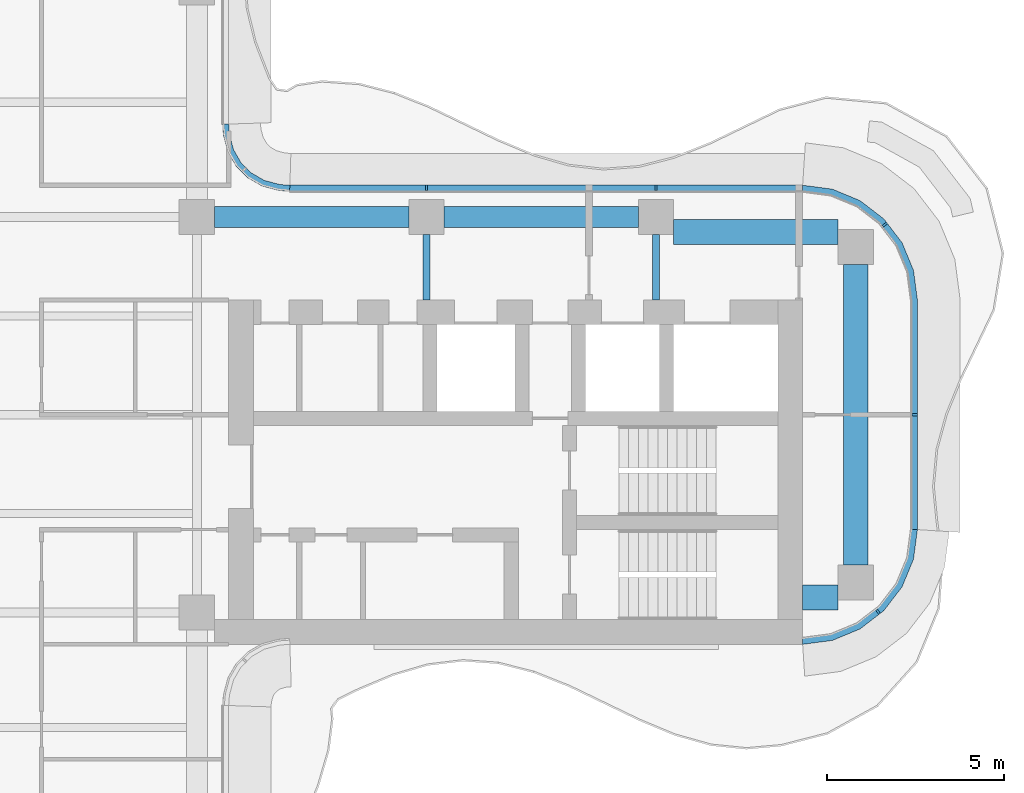
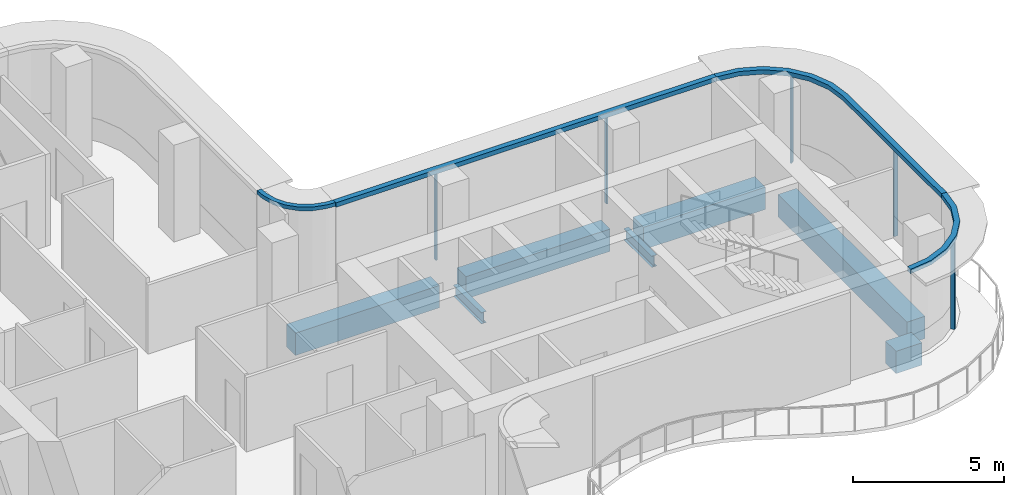
# One storey, part 6 of 16: 9 members, 7 beams, 4 elements without a shape of their own.
"""IFC4 building model written with IfcOpenShell, lengths in metres."""

import ifcopenshell
import ifcopenshell.guid

model = None  # the IFC model being written
_history = None  # IfcOwnerHistory: only IFC2X3 demands one
_inside = {}  # id of a spatial element -> (the spatial element, [elements in it])
_under = {}  # id of a project, library or spatial element -> (it, [spatial elements below it])
_declared = {}  # id of a project -> (the project, [libraries it declares])
_typed = {}  # id of a type object -> (the type object, [elements of that type])
_made_of = {}  # id of a material, layer set ... -> (it, [elements and type objects made of it])


def new_model(schema):
    """Start an empty IFC model of exactly this schema.

    Asked for "IFC4X3", IfcOpenShell would pick the latest addendum, in which some entities
    have other attributes; the version numbers below select the first issue.
    IFC2X3 requires an IfcOwnerHistory on every rooted entity: one is made here for all.
    """
    global model, _history
    if schema == "IFC4X3":
        model = ifcopenshell.file(schema_version=(4, 3, 0, 0))
    else:
        model = ifcopenshell.file(schema=schema)
    _inside.clear()
    _under.clear()
    _declared.clear()
    _typed.clear()
    _made_of.clear()
    _history = None
    if model.schema == "IFC2X3":
        org = make("IfcOrganization", Name="unknown")
        user = make(
            "IfcPersonAndOrganization",
            ThePerson=make("IfcPerson", FamilyName="unknown"),
            TheOrganization=org,
        )
        app = make(
            "IfcApplication",
            ApplicationDeveloper=org,
            Version="unknown",
            ApplicationFullName="unknown",
            ApplicationIdentifier="unknown",
        )
        _history = make(
            "IfcOwnerHistory",
            OwningUser=user,
            OwningApplication=app,
            ChangeAction="ADDED",
            CreationDate=0,
        )
    return model


def make(cls, **values):
    """One entity of the class cls with the attributes given. An attribute that is None is left unset."""
    return model.create_entity(
        cls, **{name: value for name, value in values.items() if value is not None}
    )


def rooted(cls, **values):
    """An entity with a GlobalId (a new one), such as an element, a storey or a relation."""
    return make(cls, GlobalId=ifcopenshell.guid.new(), OwnerHistory=_history, **values)


def si_unit(unit_type, name, prefix=None):
    """IfcSIUnit, for example si_unit("LENGTHUNIT", "METRE", prefix="MILLI")."""
    return make("IfcSIUnit", UnitType=unit_type, Prefix=prefix, Name=name)


def assignment(units):
    """IfcUnitAssignment: the units of a project."""
    return None if units is None else make("IfcUnitAssignment", Units=units)


def point(xyz):
    """IfcCartesianPoint."""
    return None if xyz is None else make("IfcCartesianPoint", Coordinates=xyz)


def direction(xyz):
    """IfcDirection."""
    return None if xyz is None else make("IfcDirection", DirectionRatios=xyz)


def frame(location, z_axis=None, x_axis=None):
    """IfcAxis2Placement3D, a coordinate frame: its origin and axes. An axis left out is left unset."""
    return make(
        "IfcAxis2Placement3D",
        Location=point(location),
        Axis=direction(z_axis),
        RefDirection=direction(x_axis),
    )


def frame_2d(location, x_axis=None):
    """IfcAxis2Placement2D, a coordinate frame in the plane: its origin and x axis."""
    return make(
        "IfcAxis2Placement2D", Location=point(location), RefDirection=direction(x_axis)
    )


def origin():
    """The frame at (0, 0, 0) with its axes left unset."""
    return frame((0.0, 0.0, 0.0))


def origin_2d():
    """The frame at (0, 0) in the plane with its x axis left unset."""
    return frame_2d((0.0, 0.0))


def place(relative_to, where):
    """IfcLocalPlacement: puts the frame where relative to a parent placement (None: the world)."""
    return make(
        "IfcLocalPlacement", PlacementRelTo=relative_to, RelativePlacement=where
    )


def context(
    kind, dimensions, precision=None, world=None, true_north=None, identifier=None
):
    """IfcGeometricRepresentationContext, for example the 3D "Model" context."""
    return make(
        "IfcGeometricRepresentationContext",
        ContextIdentifier=identifier,
        ContextType=kind,
        CoordinateSpaceDimension=dimensions,
        Precision=precision,
        WorldCoordinateSystem=world,
        TrueNorth=true_north,
    )


def subcontext(parent, identifier, kind, view, scale=None):
    """IfcGeometricRepresentationSubContext, for example "Body" below "Model"."""
    return make(
        "IfcGeometricRepresentationSubContext",
        ContextIdentifier=identifier,
        ContextType=kind,
        ParentContext=parent,
        TargetScale=scale,
        TargetView=view,
    )


def project(units=None, contexts=None):
    """IfcProject with its units and contexts."""
    return rooted(
        "IfcProject",
        Name="project",
        RepresentationContexts=contexts,
        UnitsInContext=assignment(units),
    )


def spatial(cls, under=None, at=None, **own):
    """A site, building, storey or space (cls), placed at a placement, below another one or the project."""
    s = rooted(cls, ObjectPlacement=at, **own)
    if under is not None:
        _under.setdefault(under.id(), (under, []))[1].append(s)
    return s


def polyline(points):
    """IfcPolyline through the points."""
    return make("IfcPolyline", Points=[point(p) for p in points])


def profile(cls, at=None, kind="AREA", **sizes):
    """A parametric profile (cls). Its sizes go by their IFC names, for example OverallWidth=200.0."""
    return make(cls, ProfileType=kind, Position=at, **sizes)


def rectangle(**sizes):
    """IfcRectangleProfileDef."""
    return profile("IfcRectangleProfileDef", **sizes)


def i_section(**sizes):
    """IfcIShapeProfileDef."""
    return profile("IfcIShapeProfileDef", **sizes)


def outline(outer, holes=None, kind="AREA"):
    """IfcArbitraryClosedProfileDef: a profile drawn as a closed curve; with holes, ...WithVoids."""
    if holes is None:
        return make("IfcArbitraryClosedProfileDef", ProfileType=kind, OuterCurve=outer)
    return make(
        "IfcArbitraryProfileDefWithVoids",
        ProfileType=kind,
        OuterCurve=outer,
        InnerCurves=holes,
    )


def extrude(swept, where, along, depth):
    """IfcExtrudedAreaSolid: the profile swept, set in the frame where, extruded along a direction by depth."""
    return make(
        "IfcExtrudedAreaSolid",
        SweptArea=swept,
        Position=where,
        ExtrudedDirection=direction(along),
        Depth=depth,
    )


def shape(context_of_items, identifier, shape_type, items):
    """IfcShapeRepresentation: the items that make up one representation, for example the "Body"."""
    return make(
        "IfcShapeRepresentation",
        ContextOfItems=context_of_items,
        RepresentationIdentifier=identifier,
        RepresentationType=shape_type,
        Items=items,
    )


def source(mapping_origin, context_of_items, identifier, shape_type, items):
    """IfcRepresentationMap: a shape defined once, which mapped items show again and again."""
    return make(
        "IfcRepresentationMap",
        MappingOrigin=mapping_origin,
        MappedRepresentation=shape(context_of_items, identifier, shape_type, items),
    )


def transform(
    local_origin,
    x_axis=None,
    y_axis=None,
    z_axis=None,
    scale=None,
    scale2=None,
    scale3=None,
    uniform=True,
):
    """IfcCartesianTransformationOperator3D, or its non-uniform kind. x_axis, y_axis, z_axis: its Axis1, 2, 3."""
    if uniform:
        return make(
            "IfcCartesianTransformationOperator3D",
            Axis1=direction(x_axis),
            Axis2=direction(y_axis),
            LocalOrigin=point(local_origin),
            Scale=scale,
            Axis3=direction(z_axis),
        )
    return make(
        "IfcCartesianTransformationOperator3DnonUniform",
        Axis1=direction(x_axis),
        Axis2=direction(y_axis),
        LocalOrigin=point(local_origin),
        Scale=scale,
        Axis3=direction(z_axis),
        Scale2=scale2,
        Scale3=scale3,
    )


def mapped(mapping_source, mapping_target):
    """IfcMappedItem: shows the shape of a source again, moved by a transform."""
    return make(
        "IfcMappedItem", MappingSource=mapping_source, MappingTarget=mapping_target
    )


def material(Name=None, Category=None):
    """IfcMaterial."""
    return make("IfcMaterial", Name=Name, Category=Category)


def layer(
    of_material, thickness, ventilated=None, Name=None, Category=None, Priority=None
):
    """IfcMaterialLayer: one layer of a wall or slab, of a material (None: an air gap)."""
    return make(
        "IfcMaterialLayer",
        Material=of_material,
        LayerThickness=thickness,
        IsVentilated=ventilated,
        Name=Name,
        Category=Category,
        Priority=Priority,
    )


def layer_set(layers, Name=None):
    """IfcMaterialLayerSet."""
    return make("IfcMaterialLayerSet", MaterialLayers=layers, LayerSetName=Name)


def material_profile(
    of_material, cross_section, Name=None, Category=None, Priority=None
):
    """IfcMaterialProfile: a cross section and its material."""
    return make(
        "IfcMaterialProfile",
        Name=Name,
        Material=of_material,
        Profile=cross_section,
        Priority=Priority,
        Category=Category,
    )


def profile_set(profiles, Name=None, composite=None):
    """IfcMaterialProfileSet."""
    return make(
        "IfcMaterialProfileSet",
        Name=Name,
        MaterialProfiles=profiles,
        CompositeProfile=composite,
    )


def made_of(thing, what):
    """Note that an element or type object is made of a material, layer set ...; save() writes the relation."""
    if what is not None:
        _made_of.setdefault(what.id(), (what, []))[1].append(thing)
    return thing


def type_object(cls, material=None, **own):
    """A type object (cls), such as IfcWallType, which elements share."""
    return made_of(rooted(cls, **own), material)


def element(
    cls,
    number,
    at=None,
    inside=None,
    cuts=None,
    type_object=None,
    material=None,
    context=None,
    identifier="Body",
    shape_type=None,
    held_by="IfcProductDefinitionShape",
    body=None,
    shapes=None,
    **own,
):
    """One element of the class cls, such as IfcWall. Its Tag is "e" and its number.

    at: its placement. inside: the storey or other place that contains it. cuts: it is an
    opening in that element (IfcRelVoidsElement). A single representation is given by context,
    identifier, shape_type and body (its items); several are given by shapes. held_by: the class
    of the entity that holds the representations. save() writes the other relations.
    """
    e = rooted(cls, Tag="e%d" % number, ObjectPlacement=at, **own)
    if body is not None:
        shapes = [shape(context, identifier, shape_type, body)]
    if shapes is not None:
        e.Representation = make(held_by, Representations=shapes)
    if inside is not None:
        _inside.setdefault(inside.id(), (inside, []))[1].append(e)
    if cuts is not None:
        rooted(
            "IfcRelVoidsElement", RelatingBuildingElement=cuts, RelatedOpeningElement=e
        )
    if type_object is not None:
        _typed.setdefault(type_object.id(), (type_object, []))[1].append(e)
    return made_of(e, material)


def aggregate(whole, parts):
    """IfcRelAggregates: a whole, such as a stair, and the parts it consists of."""
    return rooted("IfcRelAggregates", RelatingObject=whole, RelatedObjects=parts)


def save(model, path):
    """Write the relations noted so far, then the file.

    IfcRelAggregates (storeys below a building ...), IfcRelContainedInSpatialStructure (elements
    in a storey), IfcRelDefinesByType, IfcRelAssociatesMaterial and IfcRelDeclares: one each for
    every whole, place, type object, material and project.
    """
    for whole, parts in _under.values():
        aggregate(whole, parts)
    for where, things in _inside.values():
        rooted(
            "IfcRelContainedInSpatialStructure",
            RelatedElements=things,
            RelatingStructure=where,
        )
    for kind, things in _typed.values():
        rooted("IfcRelDefinesByType", RelatedObjects=things, RelatingType=kind)
    for what, things in _made_of.values():
        rooted("IfcRelAssociatesMaterial", RelatedObjects=things, RelatingMaterial=what)
    for by, libraries in _declared.values():
        rooted("IfcRelDeclares", RelatingContext=by, RelatedDefinitions=libraries)
    model.write(path)


model = new_model("IFC4")

# Units and contexts
model_context = context("Model", 3, precision=1e-05, world=origin(), true_north=direction((0.0, 1.0)))
body_context = subcontext(model_context, "Body", "Model", "MODEL_VIEW")
ifc_project = project(units=[si_unit("LENGTHUNIT", "METRE"), si_unit("AREAUNIT", "SQUARE_METRE"), si_unit("VOLUMEUNIT", "CUBIC_METRE"), si_unit("PLANEANGLEUNIT", "RADIAN"), si_unit("MASSUNIT", "GRAM", prefix="KILO")], contexts=[model_context])

# Site, building, storey
site_placement = place(None, origin())
site = spatial("IfcSite", under=ifc_project, at=site_placement, CompositionType="ELEMENT")
building_placement = place(site_placement, origin())
building = spatial("IfcBuilding", under=site, at=building_placement, Name="Trellis Farm Tower", CompositionType="ELEMENT")
storey_placement = place(building_placement, frame((0.0, 0.0, 306.699951171875)))
storey = spatial("IfcBuildingStorey", under=building, at=storey_placement, Name="L69", CompositionType="ELEMENT", Elevation=306.699951171875)

# Beams
ifc_material_1 = material(Name="Steel S355", Category="steel")
ifc_material_profile_1 = material_profile(ifc_material_1, i_section(OverallWidth=0.1904296875, OverallDepth=0.45703125, WebThickness=0.009033203125, FlangeThickness=0.014404296875, FilletRadius=0.01025390625, at=origin_2d()), Name="UB 457x191x74")
ifc_profile_set_1 = profile_set([ifc_material_profile_1], Name="Steel S355")
beam_type_1 = type_object("IfcBeamType", Name="UB 457x191x74", PredefinedType="BEAM", material=ifc_profile_set_1)
shared_shape_1 = source(origin(), body_context, "Body", "SweptSolid", [
    extrude(i_section(OverallWidth=0.1904296875, OverallDepth=0.45703125, WebThickness=0.009033203125, FlangeThickness=0.014404296875, FilletRadius=0.01025390625, at=origin_2d()), origin(), (0.0, 0.0, 1.0), 1.85009765625),
])
for number, where, z_axis, x_axis, name in (
    (1, (12.10009765625, 3.25, -0.428466796875), (0.0, 1.0, 0.0), (-1.0, 0.0, 0.0), "Girder"),
    (2, (18.60009765625, 3.25, -0.428466796875), (0.0, 1.0, 0.0), (-1.0, 0.0, 0.0), "Girder"),
):
    element("IfcBeam", number, at=place(storey_placement, frame(where, z_axis=z_axis, x_axis=x_axis)), inside=storey, type_object=beam_type_1, Name=name, PredefinedType="BEAM", context=body_context, shape_type="MappedRepresentation", body=[
        mapped(shared_shape_1, transform((0.0, 0.0, 0.0))),
    ])
ifc_material_2 = material(Name="Concrete C60/75", Category="concrete")
ifc_material_profile_2 = material_profile(ifc_material_2, rectangle(XDim=0.60009765625, YDim=0.89990234375, at=origin_2d()), Name="RC spandrel beam 600x900 C60/75")
ifc_profile_set_2 = profile_set([ifc_material_profile_2], Name="Concrete C60/75")
beam_type_2 = type_object("IfcBeamType", Name="RC spandrel beam 600x900 C60/75", PredefinedType="SPANDREL", material=ifc_profile_set_2)
shared_shape_2 = source(origin(), body_context, "Body", "SweptSolid", [
    extrude(rectangle(XDim=0.60009765625, YDim=0.89990234375, at=origin_2d()), origin(), (0.0, 0.0, 1.0), 5.5),
])
for number, where, z_axis, x_axis, name in (
    (3, (6.10009765625, 5.60009765625, -0.64990234375), (1.0, 0.0, 0.0), (0.0, 1.0, 0.0), "Girder"),
    (4, (12.60009765625, 5.60009765625, -0.64990234375), (1.0, 0.0, 0.0), (0.0, 1.0, 0.0), "Girder"),
):
    element("IfcBeam", number, at=place(storey_placement, frame(where, z_axis=z_axis, x_axis=x_axis)), inside=storey, type_object=beam_type_2, Name=name, PredefinedType="SPANDREL", context=body_context, shape_type="MappedRepresentation", body=[
        mapped(shared_shape_2, transform((0.0, 0.0, 0.0))),
    ])
ifc_material_profile_3 = material_profile(ifc_material_2, rectangle(XDim=0.699951171875, YDim=0.89990234375, at=origin_2d()), Name="RC spandrel beam 700x900 C60/75")
ifc_profile_set_3 = profile_set([ifc_material_profile_3], Name="Concrete C60/75")
beam_type_3 = type_object("IfcBeamType", Name="RC spandrel beam 700x900 C60/75", PredefinedType="SPANDREL", material=ifc_profile_set_3)
shared_shape_3 = source(origin(), body_context, "Body", "SweptSolid", [
    extrude(rectangle(XDim=0.699951171875, YDim=0.89990234375, at=origin_2d()), origin(), (0.0, 0.0, 1.0), 1.0),
])
beam_1_placement = place(storey_placement, frame((22.75, -5.175048828125, -0.64990234375), z_axis=(1.0, 0.0, 0.0), x_axis=(0.0, 1.0, 0.0)))
element("IfcBeam", 5, at=beam_1_placement, inside=storey, type_object=beam_type_3, Name="Girder", PredefinedType="SPANDREL", context=body_context, shape_type="MappedRepresentation", body=[
    mapped(shared_shape_3, transform((0.0, 0.0, 0.0))),
])
shared_shape_4 = source(origin(), body_context, "Body", "SweptSolid", [
    extrude(rectangle(XDim=0.699951171875, YDim=0.89990234375, at=origin_2d()), origin(), (0.0, 0.0, 1.0), 4.64990234375),
])
beam_2_placement = place(storey_placement, frame((19.10009765625, 5.175048828125, -0.64990234375), z_axis=(1.0, 0.0, 0.0), x_axis=(0.0, 1.0, 0.0)))
element("IfcBeam", 6, at=beam_2_placement, inside=storey, type_object=beam_type_3, Name="Girder", PredefinedType="SPANDREL", context=body_context, shape_type="MappedRepresentation", body=[
    mapped(shared_shape_4, transform((0.0, 0.0, 0.0))),
])
shared_shape_5 = source(origin(), body_context, "Body", "SweptSolid", [
    extrude(rectangle(XDim=0.699951171875, YDim=0.89990234375, at=origin_2d()), origin(), (0.0, 0.0, 1.0), 8.5),
])
beam_3_placement = place(storey_placement, frame((24.25, -4.25, -0.64990234375), z_axis=(0.0, 1.0, 0.0), x_axis=(-1.0, 0.0, 0.0)))
element("IfcBeam", 7, at=beam_3_placement, inside=storey, type_object=beam_type_3, Name="Girder", PredefinedType="SPANDREL", context=body_context, shape_type="MappedRepresentation", body=[
    mapped(shared_shape_5, transform((0.0, 0.0, 0.0))),
])

# Curtain wall, member
ifc_material_3 = material(Name="Aluminium and glass curtain wall", Category="aluminium")
ifc_layer_1 = layer(ifc_material_3, 0.166015625)
ifc_layer_set_1 = layer_set([ifc_layer_1], Name="WINTER GARDEN CURTAIN WALL CW3")
curtain_wall_type_1 = type_object("IfcCurtainWallType", Name="WINTER GARDEN CURTAIN WALL CW3", PredefinedType="NOTDEFINED", material=ifc_layer_set_1)
placement_1 = place(storey_placement, origin())
curtain_wall_1 = element("IfcCurtainWall", 8, at=placement_1, inside=storey, type_object=curtain_wall_type_1, Name="CW3 003", PredefinedType="NOTDEFINED")
ifc_material_4 = material(Name="Aluminium extrusion 6063-T6", Category="aluminium")
ifc_layer_2 = layer(ifc_material_4, 0.169921875)
ifc_layer_set_2 = layer_set([ifc_layer_2], Name="Aluminium extrusion 6063-T6")
member_type_1 = type_object("IfcMemberType", Name="CW3 TRANSOM 170x150", PredefinedType="USERDEFINED", material=ifc_layer_set_2)
shared_shape_6 = source(origin(), body_context, "Body", "SweptSolid", [
    extrude(outline(polyline([(8.2314453125, 6.5), (8.01953125, 6.513916015625), (7.91552734375, 6.527587890625), (7.508544921875, 6.63671875), (7.144287109375, 6.846923828125), (6.846923828125, 7.144287109375), (6.63671875, 7.508544921875), (6.527587890625, 7.91552734375), (6.513916015625, 8.01953125), (6.5, 8.2314453125), (6.330078125, 8.225830078125), (6.3447265625, 8.0029296875), (6.360595703125, 7.88232421875), (6.478271484375, 7.44287109375), (6.7109375, 7.0400390625), (7.0400390625, 6.7109375), (7.44287109375, 6.478271484375), (7.88232421875, 6.360595703125), (8.0029296875, 6.3447265625), (8.225830078125, 6.330078125), (8.2314453125, 6.5)])), origin(), (0.0, 0.0, 1.0), 0.14990234375),
])
member_1_placement = place(storey_placement, frame((0.0, 0.0, 3.550048828125)))
member_1 = element("IfcMember", 9, at=member_1_placement, type_object=member_type_1, Name="TR3 003", ObjectType="TRANSOM", PredefinedType="USERDEFINED", context=body_context, shape_type="MappedRepresentation", body=[
    mapped(shared_shape_6, transform((0.0, 0.0, 0.0))),
])
aggregate(curtain_wall_1, [member_1])

ifc_layer_3 = layer(ifc_material_3, 0.18994140625)
ifc_layer_set_3 = layer_set([ifc_layer_3], Name="RIBBON CURTAIN WALL CW1")
curtain_wall_type_2 = type_object("IfcCurtainWallType", Name="RIBBON CURTAIN WALL CW1", PredefinedType="NOTDEFINED", material=ifc_layer_set_3)
curtain_wall_2 = element("IfcCurtainWall", 10, at=placement_1, inside=storey, type_object=curtain_wall_type_2, Name="CW1 006", PredefinedType="NOTDEFINED")
ifc_material_profile_4 = material_profile(ifc_material_4, rectangle(XDim=0.06005859375, YDim=0.14990234375, at=origin_2d()), Name="MULLION 60x150")
ifc_profile_set_4 = profile_set([ifc_material_profile_4], Name="Aluminium extrusion 6063-T6")
member_type_2 = type_object("IfcMemberType", Name="CW1 MULLION 60x150", PredefinedType="MULLION", material=ifc_profile_set_4)
shared_shape_7 = source(origin(), body_context, "Body", "SweptSolid", [
    extrude(rectangle(XDim=0.06005859375, YDim=0.14990234375, at=origin_2d()), origin(), (0.0, 0.0, 1.0), 3.52001953125),
])
member_2_placement = place(storey_placement, frame((24.885498046875, -5.578369140625, 0.0), z_axis=(0.0, 0.0, 1.0), x_axis=(0.793353340291, 0.608761429009, 0.0)))
member_2 = element("IfcMember", 11, at=member_2_placement, type_object=member_type_2, Name="MU1 006-01", PredefinedType="MULLION", context=body_context, shape_type="MappedRepresentation", body=[
    mapped(shared_shape_7, transform((0.0, 0.0, 0.0))),
])

# Curtain wall, members
curtain_wall_3 = element("IfcCurtainWall", 12, at=placement_1, inside=storey, type_object=curtain_wall_type_2, Name="CW1 007", PredefinedType="NOTDEFINED")
member_3_placement = place(storey_placement, frame((25.925048828125, 0.0, 0.0), z_axis=(0.0, 0.0, 1.0), x_axis=(0.0, 1.0, 0.0)))
member_3 = element("IfcMember", 13, at=member_3_placement, type_object=member_type_2, Name="MU1 007-01", PredefinedType="MULLION", context=body_context, shape_type="MappedRepresentation", body=[
    mapped(shared_shape_7, transform((0.0, 0.0, 0.0))),
])
member_4_placement = place(storey_placement, frame((25.078369140625, 5.385498046875, 0.0), z_axis=(0.0, 0.0, 1.0), x_axis=(-0.608761429009, 0.793353340291, 0.0)))
member_4 = element("IfcMember", 14, at=member_4_placement, type_object=member_type_2, Name="MU1 007-02", PredefinedType="MULLION", context=body_context, shape_type="MappedRepresentation", body=[
    mapped(shared_shape_7, transform((0.0, 0.0, 0.0))),
])

curtain_wall_4 = element("IfcCurtainWall", 15, at=placement_1, inside=storey, type_object=curtain_wall_type_2, Name="CW1 008", PredefinedType="NOTDEFINED")
member_5_placement = place(storey_placement, frame((18.60009765625, 6.425048828125, 0.0), z_axis=(0.0, 0.0, 1.0), x_axis=(-1.0, 0.0, 0.0)))
member_5 = element("IfcMember", 16, at=member_5_placement, type_object=member_type_2, Name="MU1 008-01", PredefinedType="MULLION", context=body_context, shape_type="MappedRepresentation", body=[
    mapped(shared_shape_7, transform((0.0, 0.0, 0.0))),
])
member_6_placement = place(storey_placement, frame((12.10009765625, 6.425048828125, 0.0), z_axis=(0.0, 0.0, 1.0), x_axis=(-1.0, 0.0, 0.0)))
member_6 = element("IfcMember", 17, at=member_6_placement, type_object=member_type_2, Name="MU1 008-02", PredefinedType="MULLION", context=body_context, shape_type="MappedRepresentation", body=[
    mapped(shared_shape_7, transform((0.0, 0.0, 0.0))),
])

# Member
ifc_layer_4 = layer(ifc_material_4, 0.199951171875)
ifc_layer_set_4 = layer_set([ifc_layer_4], Name="Aluminium extrusion 6063-T6")
member_type_3 = type_object("IfcMemberType", Name="CW1 TRANSOM 200x180", PredefinedType="USERDEFINED", material=ifc_layer_set_4)
shared_shape_8 = source(origin(), body_context, "Body", "SweptSolid", [
    extrude(outline(polyline([(22.75, -6.5), (23.591064453125, -6.38916015625), (24.375, -6.064697265625), (25.048095703125, -5.548095703125), (25.564697265625, -4.875), (25.88916015625, -4.091064453125), (26.0, -3.25), (25.800048828125, -3.23681640625), (25.6943359375, -4.0390625), (25.389892578125, -4.774169921875), (24.905517578125, -5.405517578125), (24.274169921875, -5.889892578125), (23.5390625, -6.1943359375), (22.73681640625, -6.300048828125), (22.75, -6.5)])), origin(), (0.0, 0.0, 1.0), 0.179931640625),
])
placement_2 = place(storey_placement, frame((0.0, 0.0, 3.52001953125)))
member_7 = element("IfcMember", 18, at=placement_2, type_object=member_type_3, Name="TR1 006", ObjectType="TRANSOM", PredefinedType="USERDEFINED", context=body_context, shape_type="MappedRepresentation", body=[
    mapped(shared_shape_8, transform((0.0, 0.0, 0.0))),
])

aggregate(curtain_wall_2, [member_2, member_7])

shared_shape_9 = source(origin(), body_context, "Body", "SweptSolid", [
    extrude(outline(polyline([(22.75, 6.5), (8.2314453125, 6.5), (8.224853515625, 6.300048828125), (22.73681640625, 6.300048828125), (22.75, 6.5)])), origin(), (0.0, 0.0, 1.0), 0.179931640625),
])
member_8 = element("IfcMember", 19, at=placement_2, type_object=member_type_3, Name="TR1 008", ObjectType="TRANSOM", PredefinedType="USERDEFINED", context=body_context, shape_type="MappedRepresentation", body=[
    mapped(shared_shape_9, transform((0.0, 0.0, 0.0))),
])

aggregate(curtain_wall_4, [member_5, member_6, member_8])

shared_shape_10 = source(origin(), body_context, "Body", "SweptSolid", [
    extrude(outline(polyline([(26.0, -3.25), (26.0, 3.25), (25.88916015625, 4.091064453125), (25.564697265625, 4.875), (25.048095703125, 5.548095703125), (24.375, 6.064697265625), (23.591064453125, 6.38916015625), (22.75, 6.5), (22.73681640625, 6.300048828125), (23.5390625, 6.1943359375), (24.274169921875, 5.889892578125), (24.905517578125, 5.405517578125), (25.389892578125, 4.774169921875), (25.6943359375, 4.0390625), (25.800048828125, 3.23681640625), (25.800048828125, -3.23681640625), (26.0, -3.25)])), origin(), (0.0, 0.0, 1.0), 0.179931640625),
])
member_9 = element("IfcMember", 20, at=placement_2, type_object=member_type_3, Name="TR1 007", ObjectType="TRANSOM", PredefinedType="USERDEFINED", context=body_context, shape_type="MappedRepresentation", body=[
    mapped(shared_shape_10, transform((0.0, 0.0, 0.0))),
])

aggregate(curtain_wall_3, [member_3, member_4, member_9])

save(model, "model.ifc")
